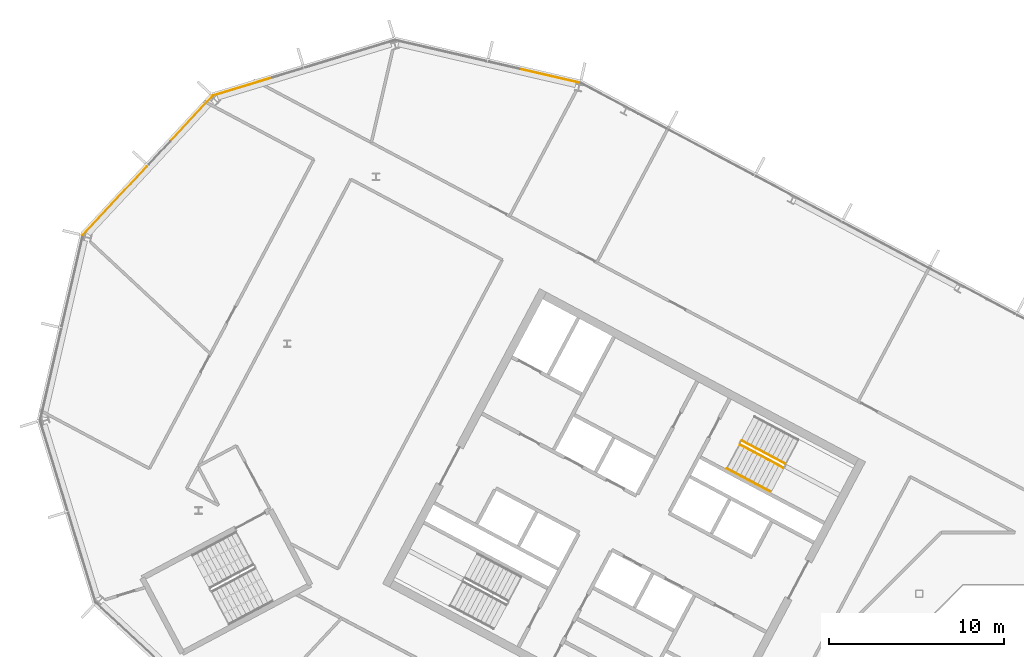
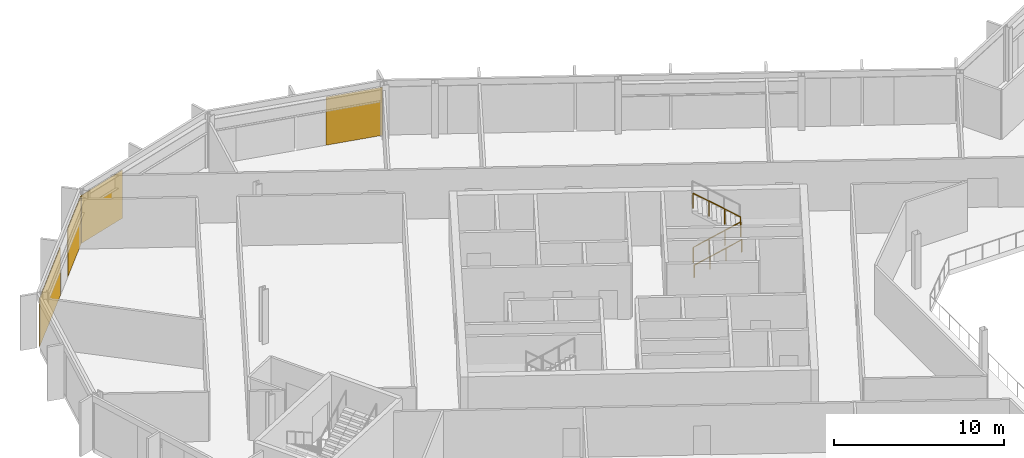
# One storey, part 22 of 26: 4 coverings, 3 railings, 3 elements without a shape of their own.
"""IFC4 building model written with IfcOpenShell, lengths in metres."""

from ifc_helpers import new_model, si_unit, direction, frame, origin, origin_2d, place, context, subcontext, project, spatial, polyline, rectangle, outline, extrude, material, layer, layer_set, type_object, element, aggregate, save


model = new_model("IFC4")

# Units and contexts
model_context = context("Model", 3, precision=1e-05, world=origin(), true_north=direction((0.0, 1.0)))
body_context = subcontext(model_context, "Body", "Model", "MODEL_VIEW")
ifc_project = project(units=[si_unit("LENGTHUNIT", "METRE"), si_unit("AREAUNIT", "SQUARE_METRE"), si_unit("VOLUMEUNIT", "CUBIC_METRE"), si_unit("PLANEANGLEUNIT", "RADIAN"), si_unit("MASSUNIT", "GRAM", prefix="KILO")], contexts=[model_context])

# Site, building, storey
site_placement = place(None, origin())
site = spatial("IfcSite", under=ifc_project, at=site_placement, CompositionType="ELEMENT")
building_placement = place(site_placement, origin())
building = spatial("IfcBuilding", under=site, at=building_placement, Name="Cormorant Relay Tower", CompositionType="ELEMENT")
storey_placement = place(building_placement, frame((0.0, 0.0, 261.89990234375)))
storey = spatial("IfcBuildingStorey", under=building, at=storey_placement, Name="L58", CompositionType="ELEMENT", Elevation=261.89990234375)

# Curtain wall, covering
ifc_material_1 = material(Name="Aluminium 6063-T6 anodised bronze", Category="aluminium")
ifc_layer_1 = layer(ifc_material_1, 0.199951171875)
ifc_layer_set_1 = layer_set([ifc_layer_1], Name="CW1 unitised bronze curtain wall with vertical fins")
curtain_wall_type = type_object("IfcCurtainWallType", Name="CW1 unitised bronze curtain wall with vertical fins", PredefinedType="NOTDEFINED", material=ifc_layer_set_1)
curtain_wall_1_placement = place(storey_placement, origin())
curtain_wall_1 = element("IfcCurtainWall", 1, at=curtain_wall_1_placement, inside=storey, type_object=curtain_wall_type, Name="CW1 curtain wall 10", PredefinedType="NOTDEFINED")
ifc_material_2 = material(Name="Pale bronze anodised aluminium insulated panel", Category="aluminium")
ifc_layer_2 = layer(ifc_material_2, 0.0400390625)
ifc_layer_set_2 = layer_set([ifc_layer_2], Name="CW1 pale bronze insulated panel 40")
covering_type = type_object("IfcCoveringType", Name="CW1 pale bronze insulated panel 40", PredefinedType="CLADDING", material=ifc_layer_set_2)
covering_1_placement = place(storey_placement, frame((-31.640380859375, 40.096435546875, 0.0), z_axis=(0.0, 0.0, 1.0), x_axis=(-0.974370064785, 0.224951054344, 0.0)))
covering_1 = element("IfcCovering", 2, at=covering_1_placement, type_object=covering_type, Name="CW1 panel S00", PredefinedType="CLADDING", context=body_context, shape_type="SweptSolid", body=[
    extrude(rectangle(XDim=3.485107421875, YDim=0.0400390625, at=origin_2d()), origin(), (0.0, 0.0, 1.0), 3.449951171875),
])
aggregate(curtain_wall_1, [covering_1])

curtain_wall_2_placement = place(storey_placement, origin())
curtain_wall_2 = element("IfcCurtainWall", 3, at=curtain_wall_2_placement, inside=storey, type_object=curtain_wall_type, Name="CW1 curtain wall 11", PredefinedType="NOTDEFINED")
covering_2_placement = place(storey_placement, frame((-49.16455078125, 39.474853515625, 0.0), z_axis=(0.0, 0.0, 1.0), x_axis=(-0.956304755963, -0.292371704723, 0.0)))
covering_2 = element("IfcCovering", 4, at=covering_2_placement, type_object=covering_type, Name="CW1 panel S02", PredefinedType="CLADDING", context=body_context, shape_type="SweptSolid", body=[
    extrude(rectangle(XDim=3.560302734375, YDim=0.0400390625, at=origin_2d()), origin(), (0.0, 0.0, 1.0), 3.449951171875),
])
aggregate(curtain_wall_2, [covering_2])

# Curtain wall, coverings
curtain_wall_3_placement = place(storey_placement, origin())
curtain_wall_3 = element("IfcCurtainWall", 5, at=curtain_wall_3_placement, inside=storey, type_object=curtain_wall_type, Name="CW1 curtain wall 12", PredefinedType="NOTDEFINED")
covering_3_placement = place(storey_placement, frame((-52.115234375, 37.61962890625, 0.0), z_axis=(0.0, 0.0, 1.0), x_axis=(-0.681998360062, -0.731353701619, 0.0)))
covering_3 = element("IfcCovering", 6, at=covering_3_placement, type_object=covering_type, Name="CW1 panel S00", PredefinedType="CLADDING", context=body_context, shape_type="SweptSolid", body=[
    extrude(rectangle(XDim=3.485107421875, YDim=0.0400390625, at=origin_2d()), origin(), (0.0, 0.0, 1.0), 3.449951171875),
])
covering_4_placement = place(storey_placement, frame((-56.461181640625, 32.958984375, 0.0), z_axis=(0.0, 0.0, 1.0), x_axis=(-0.681998360062, -0.731353701619, 0.0)))
covering_4 = element("IfcCovering", 7, at=covering_4_placement, type_object=covering_type, Name="CW1 panel S02", PredefinedType="CLADDING", context=body_context, shape_type="SweptSolid", body=[
    extrude(rectangle(XDim=5.360107421875, YDim=0.0400390625, at=origin_2d()), origin(), (0.0, 0.0, 1.0), 3.449951171875),
])
aggregate(curtain_wall_3, [covering_3, covering_4])

# Railings
ifc_material_3 = material(Name="Steel ASTM A572 Grade 50 (Fy 345 MPa)", Category="steel")
railing_type_1 = type_object("IfcRailingType", Name="Stair guard 1100", PredefinedType="GUARDRAIL", material=ifc_material_3)
railing_1_placement = place(storey_placement, frame((-20.75048828125, 19.017822265625, 0.177490234375)))
element("IfcRailing", 8, at=railing_1_placement, inside=storey, type_object=railing_type_1, Name="L58 A1 stair guard 1", PredefinedType="GUARDRAIL", context=body_context, shape_type="SweptSolid", body=[
    extrude(outline(polyline([(0.022216796875, 0.00927734375), (0.00927734375, 0.022216796875), (-0.00927734375, 0.022216796875), (-0.022216796875, 0.00927734375), (-0.022216796875, -0.00927734375), (-0.00927734375, -0.022216796875), (0.00927734375, -0.022216796875), (0.022216796875, -0.00927734375), (0.022216796875, 0.00927734375)])), frame((0.0, 0.0, 1.076171875), z_axis=(0.746001213114, -0.396649272309, 0.534931345884), x_axis=(0.469465464807, 0.882950835185, 0.0)), (0.0, 0.0, 1.0), 3.31396484375),
    extrude(outline(polyline([(0.019287109375, 0.008056640625), (0.008056640625, 0.019287109375), (-0.008056640625, 0.019287109375), (-0.019287109375, 0.008056640625), (-0.019287109375, -0.008056640625), (-0.008056640625, -0.019287109375), (0.008056640625, -0.019287109375), (0.019287109375, -0.008056640625), (0.019287109375, 0.008056640625)])), origin(), (0.0, 0.0, 1.0), 1.052001953125),
    extrude(outline(polyline([(0.019287109375, 0.008056640625), (0.008056640625, 0.019287109375), (-0.008056640625, 0.019287109375), (-0.019287109375, 0.008056640625), (-0.019287109375, -0.008056640625), (-0.008056640625, -0.019287109375), (0.008056640625, -0.019287109375), (0.019287109375, -0.008056640625), (0.019287109375, 0.008056640625)])), frame((0.823974609375, -0.438232421875, 0.5908203125)), (0.0, 0.0, 1.0), 1.052001953125),
    extrude(outline(polyline([(0.019287109375, 0.008056640625), (0.008056640625, 0.019287109375), (-0.008056640625, 0.019287109375), (-0.019287109375, 0.008056640625), (-0.019287109375, -0.008056640625), (-0.008056640625, -0.019287109375), (0.008056640625, -0.019287109375), (0.019287109375, -0.008056640625), (0.019287109375, 0.008056640625)])), frame((1.648193359375, -0.876220703125, 1.181884765625)), (0.0, 0.0, 1.0), 1.052001953125),
    extrude(outline(polyline([(0.019287109375, 0.008056640625), (0.008056640625, 0.019287109375), (-0.008056640625, 0.019287109375), (-0.019287109375, 0.008056640625), (-0.019287109375, -0.008056640625), (-0.008056640625, -0.019287109375), (0.008056640625, -0.019287109375), (0.019287109375, -0.008056640625), (0.019287109375, 0.008056640625)])), frame((2.47216796875, -1.314453125, 1.772705078125)), (0.0, 0.0, 1.0), 1.052001953125),
])
railing_2_placement = place(storey_placement, frame((-18.160888671875, 17.924072265625, 2.12744140625)))
element("IfcRailing", 9, at=railing_2_placement, inside=storey, type_object=railing_type_1, Name="L58 A1 stair guard 3", PredefinedType="GUARDRAIL", context=body_context, shape_type="SweptSolid", body=[
    extrude(outline(polyline([(0.022216796875, 0.00927734375), (0.00927734375, 0.022216796875), (-0.00927734375, 0.022216796875), (-0.022216796875, 0.00927734375), (-0.022216796875, -0.00927734375), (-0.00927734375, -0.022216796875), (0.00927734375, -0.022216796875), (0.022216796875, -0.00927734375), (0.022216796875, 0.00927734375)])), frame((0.0, 0.0, 1.076171875), z_axis=(-0.746033882577, 0.396627473466, 0.534901947407), x_axis=(-0.469429322983, -0.882970050864, 0.0)), (0.0, 0.0, 1.0), 3.31396484375),
    extrude(outline(polyline([(0.019287109375, 0.008056640625), (0.008056640625, 0.019287109375), (-0.008056640625, 0.019287109375), (-0.019287109375, 0.008056640625), (-0.019287109375, -0.008056640625), (-0.008056640625, -0.019287109375), (0.008056640625, -0.019287109375), (0.019287109375, -0.008056640625), (0.019287109375, 0.008056640625)])), origin(), (0.0, 0.0, 1.0), 1.052001953125),
    extrude(outline(polyline([(0.019287109375, 0.008056640625), (0.008056640625, 0.019287109375), (-0.008056640625, 0.019287109375), (-0.019287109375, 0.008056640625), (-0.019287109375, -0.008056640625), (-0.008056640625, -0.019287109375), (0.008056640625, -0.019287109375), (0.019287109375, -0.008056640625), (0.019287109375, 0.008056640625)])), frame((-0.82421875, 0.438232421875, 0.5908203125)), (0.0, 0.0, 1.0), 1.052001953125),
    extrude(outline(polyline([(0.019287109375, 0.008056640625), (0.008056640625, 0.019287109375), (-0.008056640625, 0.019287109375), (-0.019287109375, 0.008056640625), (-0.019287109375, -0.008056640625), (-0.008056640625, -0.019287109375), (0.008056640625, -0.019287109375), (0.019287109375, -0.008056640625), (0.019287109375, 0.008056640625)])), frame((-1.648193359375, 0.876220703125, 1.181884765625)), (0.0, 0.0, 1.0), 1.052001953125),
    extrude(outline(polyline([(0.019287109375, 0.008056640625), (0.008056640625, 0.019287109375), (-0.008056640625, 0.019287109375), (-0.019287109375, 0.008056640625), (-0.019287109375, -0.008056640625), (-0.008056640625, -0.019287109375), (0.008056640625, -0.019287109375), (0.019287109375, -0.008056640625), (0.019287109375, 0.008056640625)])), frame((-2.472412109375, 1.314453125, 1.772705078125)), (0.0, 0.0, 1.0), 1.052001953125),
])
ifc_material_4 = material(Name="Steel ASTM A572 Grade 50 (Fy 345 MPa)", Category="steel")
railing_type_2 = type_object("IfcRailingType", Name="Stair handrail 900", PredefinedType="HANDRAIL", material=ifc_material_4)
railing_3_placement = place(storey_placement, frame((-21.478271484375, 17.6494140625, 0.177490234375)))
element("IfcRailing", 10, at=railing_3_placement, inside=storey, type_object=railing_type_2, Name="L58 A1 stair handrail 1", PredefinedType="HANDRAIL", context=body_context, shape_type="SweptSolid", body=[
    extrude(outline(polyline([(0.022216796875, 0.00927734375), (0.00927734375, 0.022216796875), (-0.00927734375, 0.022216796875), (-0.022216796875, 0.00927734375), (-0.022216796875, -0.00927734375), (-0.00927734375, -0.022216796875), (0.00927734375, -0.022216796875), (0.022216796875, -0.00927734375), (0.022216796875, 0.00927734375)])), frame((0.0, 0.0, 0.8759765625), z_axis=(0.746012083385, -0.396689549623, 0.534886317514), x_axis=(0.469497295046, 0.882933910293, 0.0)), (0.0, 0.0, 1.0), 3.314208984375),
    extrude(outline(polyline([(0.019287109375, 0.008056640625), (0.008056640625, 0.019287109375), (-0.008056640625, 0.019287109375), (-0.019287109375, 0.008056640625), (-0.019287109375, -0.008056640625), (-0.008056640625, -0.019287109375), (0.008056640625, -0.019287109375), (0.019287109375, -0.008056640625), (0.019287109375, 0.008056640625)])), origin(), (0.0, 0.0, 1.0), 0.851806640625),
    extrude(outline(polyline([(0.019287109375, 0.008056640625), (0.008056640625, 0.019287109375), (-0.008056640625, 0.019287109375), (-0.019287109375, 0.008056640625), (-0.019287109375, -0.008056640625), (-0.008056640625, -0.019287109375), (0.008056640625, -0.019287109375), (0.019287109375, -0.008056640625), (0.019287109375, 0.008056640625)])), frame((0.82421875, -0.438232421875, 0.5908203125)), (0.0, 0.0, 1.0), 0.851806640625),
    extrude(outline(polyline([(0.019287109375, 0.008056640625), (0.008056640625, 0.019287109375), (-0.008056640625, 0.019287109375), (-0.019287109375, 0.008056640625), (-0.019287109375, -0.008056640625), (-0.008056640625, -0.019287109375), (0.008056640625, -0.019287109375), (0.019287109375, -0.008056640625), (0.019287109375, 0.008056640625)])), frame((1.648193359375, -0.87646484375, 1.181884765625)), (0.0, 0.0, 1.0), 0.851806640625),
    extrude(outline(polyline([(0.019287109375, 0.008056640625), (0.008056640625, 0.019287109375), (-0.008056640625, 0.019287109375), (-0.019287109375, 0.008056640625), (-0.019287109375, -0.008056640625), (-0.008056640625, -0.019287109375), (0.008056640625, -0.019287109375), (0.019287109375, -0.008056640625), (0.019287109375, 0.008056640625)])), frame((2.472412109375, -1.314697265625, 1.772705078125)), (0.0, 0.0, 1.0), 0.851806640625),
])

save(model, "model.ifc")
